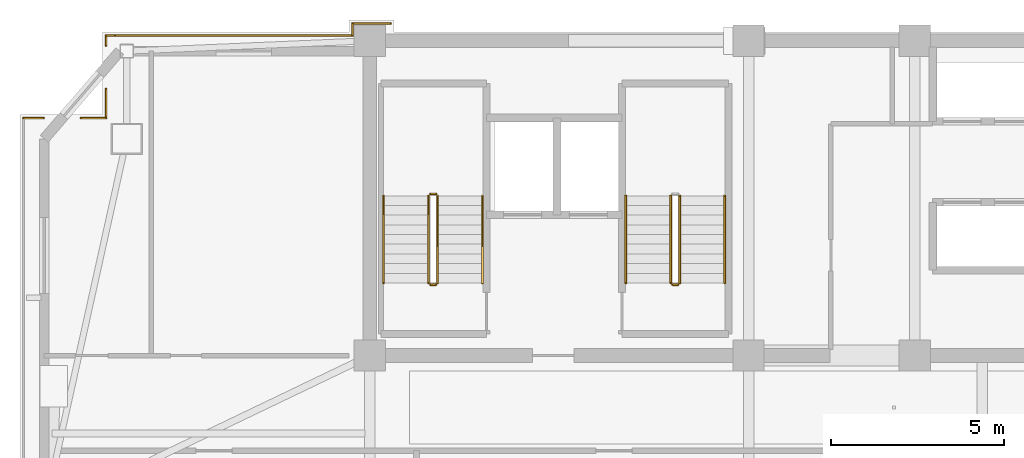
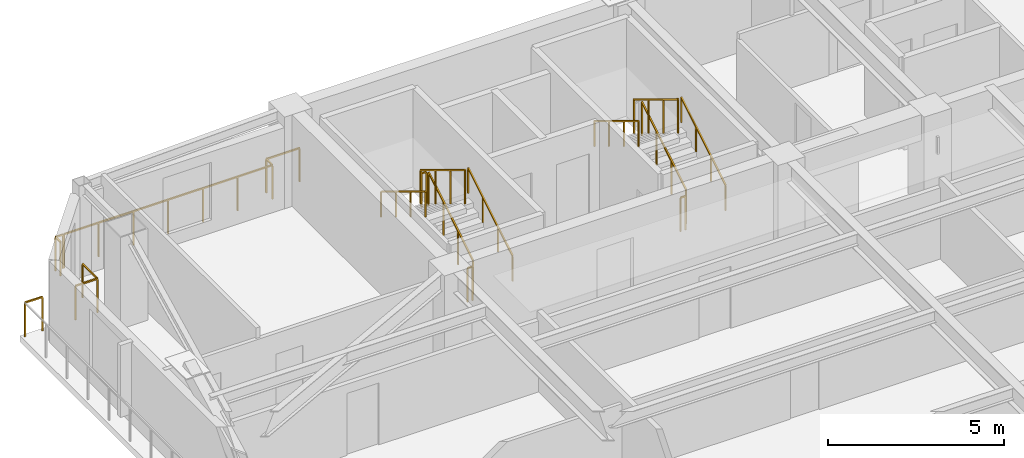
# One storey, part 11 of 13: 19 railings.
"""IFC4 building model written with IfcOpenShell, lengths in metres."""

from ifc_helpers import new_model, si_unit, direction, frame, origin, origin_2d, place, context, subcontext, project, spatial, rectangle, extrude, material, type_object, element, save


model = new_model("IFC4")

# Units and contexts
model_context = context("Model", 3, precision=1e-05, world=origin(), true_north=direction((0.0, 1.0)))
body_context = subcontext(model_context, "Body", "Model", "MODEL_VIEW")
ifc_project = project(units=[si_unit("LENGTHUNIT", "METRE"), si_unit("AREAUNIT", "SQUARE_METRE"), si_unit("VOLUMEUNIT", "CUBIC_METRE"), si_unit("PLANEANGLEUNIT", "RADIAN"), si_unit("MASSUNIT", "GRAM", prefix="KILO")], contexts=[model_context])

# Site, building, storey
site_placement = place(None, origin())
site = spatial("IfcSite", under=ifc_project, at=site_placement, CompositionType="ELEMENT")
building_placement = place(site_placement, origin())
building = spatial("IfcBuilding", under=site, at=building_placement, Name="Giltprow Tower", CompositionType="ELEMENT")
storey_placement = place(building_placement, frame((0.0, 0.0, 307.39990234375)))
storey = spatial("IfcBuildingStorey", under=building, at=storey_placement, Name="L79", CompositionType="ELEMENT", Elevation=307.39990234375)

# Railings
ifc_material = material(Name="Anodized bronze", Category="metal")
railing_type_1 = type_object("IfcRailingType", Name="RAIL-BALC-GUARD-1200", PredefinedType="BALUSTRADE", material=ifc_material)
railing_1_placement = place(storey_placement, frame((9.840087890625, 44.31494140625, 0.0)))
element("IfcRailing", 1, at=railing_1_placement, inside=storey, type_object=railing_type_1, Name="L79 Corner Apron Edge Balustrade 14", PredefinedType="BALUSTRADE", context=body_context, shape_type="SweptSolid", body=[
    extrude(rectangle(XDim=0.048095703125, YDim=0.048095703125, at=origin_2d()), frame((0.0, 0.0, 1.17578125), z_axis=(1.0, 0.0, 0.0), x_axis=(0.0, 1.0, 0.0)), (0.0, 0.0, 1.0), 0.575927734375),
    extrude(rectangle(XDim=0.0419921875, YDim=0.0419921875, at=origin_2d()), origin(), (0.0, 0.0, 1.0), 1.15185546875),
    extrude(rectangle(XDim=0.0419921875, YDim=0.0419921875, at=origin_2d()), frame((0.575927734375, 0.0, 0.0)), (0.0, 0.0, 1.0), 1.15185546875),
])
railing_2_placement = place(storey_placement, frame((11.498046875, 44.31494140625, 0.0)))
element("IfcRailing", 2, at=railing_2_placement, inside=storey, type_object=railing_type_1, Name="L79 Corner Apron Edge Balustrade 15", PredefinedType="BALUSTRADE", context=body_context, shape_type="SweptSolid", body=[
    extrude(rectangle(XDim=0.048095703125, YDim=0.048095703125, at=origin_2d()), frame((0.0, 0.0, 1.17578125), z_axis=(1.0, 0.0, 0.0), x_axis=(0.0, 1.0, 0.0)), (0.0, 0.0, 1.0), 0.72705078125),
    extrude(rectangle(XDim=0.0419921875, YDim=0.0419921875, at=origin_2d()), origin(), (0.0, 0.0, 1.0), 1.15185546875),
    extrude(rectangle(XDim=0.0419921875, YDim=0.0419921875, at=origin_2d()), frame((0.72705078125, 0.0, 0.0)), (0.0, 0.0, 1.0), 1.15185546875),
])
railing_3_placement = place(storey_placement, frame((12.22509765625, 44.31494140625, 0.0)))
element("IfcRailing", 3, at=railing_3_placement, inside=storey, type_object=railing_type_1, Name="L79 Corner Apron Edge Balustrade 16", PredefinedType="BALUSTRADE", context=body_context, shape_type="SweptSolid", body=[
    extrude(rectangle(XDim=0.048095703125, YDim=0.048095703125, at=origin_2d()), frame((0.0, 0.0, 1.17578125), z_axis=(0.0, 1.0, 0.0), x_axis=(-1.0, 0.0, 0.0)), (0.0, 0.0, 1.0), 0.843017578125),
    extrude(rectangle(XDim=0.0419921875, YDim=0.0419921875, at=origin_2d()), origin(), (0.0, 0.0, 1.0), 1.15185546875),
    extrude(rectangle(XDim=0.0419921875, YDim=0.0419921875, at=origin_2d()), frame((0.0, 0.843017578125, 0.0)), (0.0, 0.0, 1.0), 1.15185546875),
])
railing_4_placement = place(storey_placement, frame((12.22509765625, 46.4140625, 0.0)))
element("IfcRailing", 4, at=railing_4_placement, inside=storey, type_object=railing_type_1, Name="L79 Corner Apron Edge Balustrade 17", PredefinedType="BALUSTRADE", context=body_context, shape_type="SweptSolid", body=[
    extrude(rectangle(XDim=0.048095703125, YDim=0.048095703125, at=origin_2d()), frame((0.0, 0.0, 1.17578125), z_axis=(0.0, 1.0, 0.0), x_axis=(-1.0, 0.0, 0.0)), (0.0, 0.0, 1.0), 0.285888671875),
    extrude(rectangle(XDim=0.0419921875, YDim=0.0419921875, at=origin_2d()), origin(), (0.0, 0.0, 1.0), 1.15185546875),
    extrude(rectangle(XDim=0.0419921875, YDim=0.0419921875, at=origin_2d()), frame((0.0, 0.285888671875, 0.0)), (0.0, 0.0, 1.0), 1.15185546875),
])
railing_5_placement = place(storey_placement, frame((12.22509765625, 46.699951171875, 0.0)))
element("IfcRailing", 5, at=railing_5_placement, inside=storey, type_object=railing_type_1, Name="L79 Corner Apron Edge Balustrade 18", PredefinedType="BALUSTRADE", context=body_context, shape_type="SweptSolid", body=[
    extrude(rectangle(XDim=0.048095703125, YDim=0.048095703125, at=origin_2d()), frame((0.0, 0.0, 1.17578125), z_axis=(1.0, 0.0, 0.0), x_axis=(0.0, 1.0, 0.0)), (0.0, 0.0, 1.0), 0.246826171875),
    extrude(rectangle(XDim=0.0419921875, YDim=0.0419921875, at=origin_2d()), origin(), (0.0, 0.0, 1.0), 1.15185546875),
    extrude(rectangle(XDim=0.0419921875, YDim=0.0419921875, at=origin_2d()), frame((0.246826171875, 0.0, 0.0)), (0.0, 0.0, 1.0), 1.15185546875),
])
railing_6_placement = place(storey_placement, frame((12.5009765625, 46.699951171875, 0.0)))
element("IfcRailing", 6, at=railing_6_placement, inside=storey, type_object=railing_type_1, Name="L79 Corner Apron Edge Balustrade 19", PredefinedType="BALUSTRADE", context=body_context, shape_type="SweptSolid", body=[
    extrude(rectangle(XDim=0.048095703125, YDim=0.048095703125, at=origin_2d()), frame((0.0, 0.0, 1.17578125), z_axis=(1.0, 0.0, 0.0), x_axis=(0.0, 1.0, 0.0)), (0.0, 0.0, 1.0), 6.84912109375),
    extrude(rectangle(XDim=0.0419921875, YDim=0.0419921875, at=origin_2d()), origin(), (0.0, 0.0, 1.0), 1.15185546875),
    extrude(rectangle(XDim=0.0419921875, YDim=0.0419921875, at=origin_2d()), frame((1.1416015625, 0.0, 0.0)), (0.0, 0.0, 1.0), 1.15185546875),
    extrude(rectangle(XDim=0.0419921875, YDim=0.0419921875, at=origin_2d()), frame((2.282958984375, 0.0, 0.0)), (0.0, 0.0, 1.0), 1.15185546875),
    extrude(rectangle(XDim=0.0419921875, YDim=0.0419921875, at=origin_2d()), frame((3.424560546875, 0.0, 0.0)), (0.0, 0.0, 1.0), 1.15185546875),
    extrude(rectangle(XDim=0.0419921875, YDim=0.0419921875, at=origin_2d()), frame((4.566162109375, 0.0, 0.0)), (0.0, 0.0, 1.0), 1.15185546875),
    extrude(rectangle(XDim=0.0419921875, YDim=0.0419921875, at=origin_2d()), frame((5.70751953125, 0.0, 0.0)), (0.0, 0.0, 1.0), 1.15185546875),
    extrude(rectangle(XDim=0.0419921875, YDim=0.0419921875, at=origin_2d()), frame((6.84912109375, 0.0, 0.0)), (0.0, 0.0, 1.0), 1.15185546875),
])
railing_7_placement = place(storey_placement, frame((19.35009765625, 46.699951171875, 0.0)))
element("IfcRailing", 7, at=railing_7_placement, inside=storey, type_object=railing_type_1, Name="L79 Corner Apron Edge Balustrade 20", PredefinedType="BALUSTRADE", context=body_context, shape_type="SweptSolid", body=[
    extrude(rectangle(XDim=0.048095703125, YDim=0.048095703125, at=origin_2d()), frame((0.0, 0.0, 1.17578125), z_axis=(0.0, 1.0, 0.0), x_axis=(-1.0, 0.0, 0.0)), (0.0, 0.0, 1.0), 0.35009765625),
    extrude(rectangle(XDim=0.0419921875, YDim=0.0419921875, at=origin_2d()), origin(), (0.0, 0.0, 1.0), 1.15185546875),
    extrude(rectangle(XDim=0.0419921875, YDim=0.0419921875, at=origin_2d()), frame((0.0, 0.35009765625, 0.0)), (0.0, 0.0, 1.0), 1.15185546875),
])
railing_8_placement = place(storey_placement, frame((19.35009765625, 47.050048828125, 0.0)))
element("IfcRailing", 8, at=railing_8_placement, inside=storey, type_object=railing_type_1, Name="L79 Corner Apron Edge Balustrade 21", PredefinedType="BALUSTRADE", context=body_context, shape_type="SweptSolid", body=[
    extrude(rectangle(XDim=0.048095703125, YDim=0.048095703125, at=origin_2d()), frame((0.0, 0.0, 1.17578125), z_axis=(1.0, 0.0, 0.0), x_axis=(0.0, 1.0, 0.0)), (0.0, 0.0, 1.0), 1.099853515625),
    extrude(rectangle(XDim=0.0419921875, YDim=0.0419921875, at=origin_2d()), origin(), (0.0, 0.0, 1.0), 1.15185546875),
    extrude(rectangle(XDim=0.0419921875, YDim=0.0419921875, at=origin_2d()), frame((1.099853515625, 0.0, 0.0)), (0.0, 0.0, 1.0), 1.15185546875),
])
railing_type_2 = type_object("IfcRailingType", Name="RAIL-STAIR-GUARD-1200", PredefinedType="GUARDRAIL", material=ifc_material)
railing_9_placement = place(storey_placement, frame((21.81005859375, 39.550048828125, 0.170166015625)))
element("IfcRailing", 9, at=railing_9_placement, inside=storey, type_object=railing_type_2, Name="L79 ST-1 stair guard 1", PredefinedType="GUARDRAIL", context=body_context, shape_type="SweptSolid", body=[
    extrude(rectangle(XDim=0.048095703125, YDim=0.048095703125, at=origin_2d()), frame((0.0, 0.0, 1.17578125), z_axis=(0.0, 0.85478489116, 0.518982456201), x_axis=(-1.0, 0.0, 0.0)), (0.0, 0.0, 1.0), 2.9482421875),
    extrude(rectangle(XDim=0.0419921875, YDim=0.0419921875, at=origin_2d()), origin(), (0.0, 0.0, 1.0), 1.15185546875),
    extrude(rectangle(XDim=0.0419921875, YDim=0.0419921875, at=origin_2d()), frame((0.0, 0.840087890625, 0.510009765625)), (0.0, 0.0, 1.0), 1.15185546875),
    extrude(rectangle(XDim=0.0419921875, YDim=0.0419921875, at=origin_2d()), frame((0.0, 1.679931640625, 1.02001953125)), (0.0, 0.0, 1.0), 1.15185546875),
    extrude(rectangle(XDim=0.0419921875, YDim=0.0419921875, at=origin_2d()), frame((0.0, 2.52001953125, 1.530029296875)), (0.0, 0.0, 1.0), 1.15185546875),
])
railing_10_placement = place(storey_placement, frame((21.760009765625, 42.1201171875, 1.7001953125)))
element("IfcRailing", 10, at=railing_10_placement, inside=storey, type_object=railing_type_2, Name="L79 ST-1 stair guard 2", PredefinedType="GUARDRAIL", context=body_context, shape_type="SweptSolid", body=[
    extrude(rectangle(XDim=0.048095703125, YDim=0.048095703125, at=origin_2d()), frame((0.0, 0.0, 1.17578125), z_axis=(-1.0, 0.0, 0.0), x_axis=(0.0, -1.0, 0.0)), (0.0, 0.0, 1.0), 0.159912109375),
    extrude(rectangle(XDim=0.0419921875, YDim=0.0419921875, at=origin_2d()), origin(), (0.0, 0.0, 1.0), 1.15185546875),
    extrude(rectangle(XDim=0.0419921875, YDim=0.0419921875, at=origin_2d()), frame((-0.159912109375, 0.0, 0.0)), (0.0, 0.0, 1.0), 1.15185546875),
])
railing_11_placement = place(storey_placement, frame((21.550048828125, 42.070068359375, 1.8701171875)))
element("IfcRailing", 11, at=railing_11_placement, inside=storey, type_object=railing_type_2, Name="L79 ST-1 stair guard 3", PredefinedType="GUARDRAIL", context=body_context, shape_type="SweptSolid", body=[
    extrude(rectangle(XDim=0.048095703125, YDim=0.048095703125, at=origin_2d()), frame((0.0, 0.0, 1.17578125), z_axis=(0.0, -0.85478489116, 0.518982456201), x_axis=(1.0, 0.0, 0.0)), (0.0, 0.0, 1.0), 2.9482421875),
    extrude(rectangle(XDim=0.0419921875, YDim=0.0419921875, at=origin_2d()), origin(), (0.0, 0.0, 1.0), 1.15185546875),
    extrude(rectangle(XDim=0.0419921875, YDim=0.0419921875, at=origin_2d()), frame((0.0, -0.840087890625, 0.510009765625)), (0.0, 0.0, 1.0), 1.15185546875),
    extrude(rectangle(XDim=0.0419921875, YDim=0.0419921875, at=origin_2d()), frame((0.0, -1.679931640625, 1.02001953125)), (0.0, 0.0, 1.0), 1.15185546875),
    extrude(rectangle(XDim=0.0419921875, YDim=0.0419921875, at=origin_2d()), frame((0.0, -2.52001953125, 1.530029296875)), (0.0, 0.0, 1.0), 1.15185546875),
])
railing_12_placement = place(storey_placement, frame((21.760009765625, 39.5, 0.0)))
element("IfcRailing", 12, at=railing_12_placement, inside=storey, type_object=railing_type_2, Name="L79 ST-1 stair guard 4", PredefinedType="GUARDRAIL", context=body_context, shape_type="SweptSolid", body=[
    extrude(rectangle(XDim=0.048095703125, YDim=0.048095703125, at=origin_2d()), frame((0.0, 0.0, 1.17578125), z_axis=(-1.0, 0.0, 0.0), x_axis=(0.0, -1.0, 0.0)), (0.0, 0.0, 1.0), 0.159912109375),
    extrude(rectangle(XDim=0.0419921875, YDim=0.0419921875, at=origin_2d()), origin(), (0.0, 0.0, 1.0), 1.15185546875),
    extrude(rectangle(XDim=0.0419921875, YDim=0.0419921875, at=origin_2d()), frame((-0.159912109375, 0.0, 0.0)), (0.0, 0.0, 1.0), 1.15185546875),
])
railing_13_placement = place(storey_placement, frame((28.81005859375, 39.550048828125, 0.170166015625)))
element("IfcRailing", 13, at=railing_13_placement, inside=storey, type_object=railing_type_2, Name="L79 ST-2 stair guard 1", PredefinedType="GUARDRAIL", context=body_context, shape_type="SweptSolid", body=[
    extrude(rectangle(XDim=0.048095703125, YDim=0.048095703125, at=origin_2d()), frame((0.0, 0.0, 1.17578125), z_axis=(0.0, 0.85478489116, 0.518982456201), x_axis=(-1.0, 0.0, 0.0)), (0.0, 0.0, 1.0), 2.9482421875),
    extrude(rectangle(XDim=0.0419921875, YDim=0.0419921875, at=origin_2d()), origin(), (0.0, 0.0, 1.0), 1.15185546875),
    extrude(rectangle(XDim=0.0419921875, YDim=0.0419921875, at=origin_2d()), frame((0.0, 0.840087890625, 0.510009765625)), (0.0, 0.0, 1.0), 1.15185546875),
    extrude(rectangle(XDim=0.0419921875, YDim=0.0419921875, at=origin_2d()), frame((0.0, 1.679931640625, 1.02001953125)), (0.0, 0.0, 1.0), 1.15185546875),
    extrude(rectangle(XDim=0.0419921875, YDim=0.0419921875, at=origin_2d()), frame((0.0, 2.52001953125, 1.530029296875)), (0.0, 0.0, 1.0), 1.15185546875),
])
railing_14_placement = place(storey_placement, frame((28.550048828125, 42.070068359375, 1.8701171875)))
element("IfcRailing", 14, at=railing_14_placement, inside=storey, type_object=railing_type_2, Name="L79 ST-2 stair guard 3", PredefinedType="GUARDRAIL", context=body_context, shape_type="SweptSolid", body=[
    extrude(rectangle(XDim=0.048095703125, YDim=0.048095703125, at=origin_2d()), frame((0.0, 0.0, 1.17578125), z_axis=(0.0, -0.85478489116, 0.518982456201), x_axis=(1.0, 0.0, 0.0)), (0.0, 0.0, 1.0), 2.9482421875),
    extrude(rectangle(XDim=0.0419921875, YDim=0.0419921875, at=origin_2d()), origin(), (0.0, 0.0, 1.0), 1.15185546875),
    extrude(rectangle(XDim=0.0419921875, YDim=0.0419921875, at=origin_2d()), frame((0.0, -0.840087890625, 0.510009765625)), (0.0, 0.0, 1.0), 1.15185546875),
    extrude(rectangle(XDim=0.0419921875, YDim=0.0419921875, at=origin_2d()), frame((0.0, -1.679931640625, 1.02001953125)), (0.0, 0.0, 1.0), 1.15185546875),
    extrude(rectangle(XDim=0.0419921875, YDim=0.0419921875, at=origin_2d()), frame((0.0, -2.52001953125, 1.530029296875)), (0.0, 0.0, 1.0), 1.15185546875),
])
railing_15_placement = place(storey_placement, frame((28.760009765625, 39.5, 0.0)))
element("IfcRailing", 15, at=railing_15_placement, inside=storey, type_object=railing_type_2, Name="L79 ST-2 stair guard 4", PredefinedType="GUARDRAIL", context=body_context, shape_type="SweptSolid", body=[
    extrude(rectangle(XDim=0.048095703125, YDim=0.048095703125, at=origin_2d()), frame((0.0, 0.0, 1.17578125), z_axis=(-1.0, 0.0, 0.0), x_axis=(0.0, -1.0, 0.0)), (0.0, 0.0, 1.0), 0.159912109375),
    extrude(rectangle(XDim=0.0419921875, YDim=0.0419921875, at=origin_2d()), origin(), (0.0, 0.0, 1.0), 1.15185546875),
    extrude(rectangle(XDim=0.0419921875, YDim=0.0419921875, at=origin_2d()), frame((-0.159912109375, 0.0, 0.0)), (0.0, 0.0, 1.0), 1.15185546875),
])
railing_type_3 = type_object("IfcRailingType", Name="RAIL-STAIR-HAND-900", PredefinedType="HANDRAIL", material=ifc_material)
railing_16_placement = place(storey_placement, frame((23.110107421875, 39.550048828125, 0.170166015625)))
element("IfcRailing", 16, at=railing_16_placement, inside=storey, type_object=railing_type_3, Name="L79 ST-1 stair handrail 1", PredefinedType="HANDRAIL", context=body_context, shape_type="SweptSolid", body=[
    extrude(rectangle(XDim=0.048095703125, YDim=0.048095703125, at=origin_2d()), frame((0.0, 0.0, 0.8759765625), z_axis=(0.0, 0.85478489116, 0.518982456201), x_axis=(-1.0, 0.0, 0.0)), (0.0, 0.0, 1.0), 2.9482421875),
    extrude(rectangle(XDim=0.0419921875, YDim=0.0419921875, at=origin_2d()), origin(), (0.0, 0.0, 1.0), 0.851806640625),
    extrude(rectangle(XDim=0.0419921875, YDim=0.0419921875, at=origin_2d()), frame((0.0, 0.840087890625, 0.510009765625)), (0.0, 0.0, 1.0), 0.851806640625),
    extrude(rectangle(XDim=0.0419921875, YDim=0.0419921875, at=origin_2d()), frame((0.0, 1.679931640625, 1.02001953125)), (0.0, 0.0, 1.0), 0.851806640625),
    extrude(rectangle(XDim=0.0419921875, YDim=0.0419921875, at=origin_2d()), frame((0.0, 2.52001953125, 1.530029296875)), (0.0, 0.0, 1.0), 0.851806640625),
])
railing_17_placement = place(storey_placement, frame((20.25, 42.070068359375, 1.8701171875)))
element("IfcRailing", 17, at=railing_17_placement, inside=storey, type_object=railing_type_3, Name="L79 ST-1 stair handrail 2", PredefinedType="HANDRAIL", context=body_context, shape_type="SweptSolid", body=[
    extrude(rectangle(XDim=0.048095703125, YDim=0.048095703125, at=origin_2d()), frame((0.0, 0.0, 0.8759765625), z_axis=(0.0, -0.85478489116, 0.518982456201), x_axis=(1.0, 0.0, 0.0)), (0.0, 0.0, 1.0), 2.9482421875),
    extrude(rectangle(XDim=0.0419921875, YDim=0.0419921875, at=origin_2d()), origin(), (0.0, 0.0, 1.0), 0.851806640625),
    extrude(rectangle(XDim=0.0419921875, YDim=0.0419921875, at=origin_2d()), frame((0.0, -0.840087890625, 0.510009765625)), (0.0, 0.0, 1.0), 0.851806640625),
    extrude(rectangle(XDim=0.0419921875, YDim=0.0419921875, at=origin_2d()), frame((0.0, -1.679931640625, 1.02001953125)), (0.0, 0.0, 1.0), 0.851806640625),
    extrude(rectangle(XDim=0.0419921875, YDim=0.0419921875, at=origin_2d()), frame((0.0, -2.52001953125, 1.530029296875)), (0.0, 0.0, 1.0), 0.851806640625),
])
railing_18_placement = place(storey_placement, frame((30.110107421875, 39.550048828125, 0.170166015625)))
element("IfcRailing", 18, at=railing_18_placement, inside=storey, type_object=railing_type_3, Name="L79 ST-2 stair handrail 1", PredefinedType="HANDRAIL", context=body_context, shape_type="SweptSolid", body=[
    extrude(rectangle(XDim=0.048095703125, YDim=0.048095703125, at=origin_2d()), frame((0.0, 0.0, 0.8759765625), z_axis=(0.0, 0.85478489116, 0.518982456201), x_axis=(-1.0, 0.0, 0.0)), (0.0, 0.0, 1.0), 2.9482421875),
    extrude(rectangle(XDim=0.0419921875, YDim=0.0419921875, at=origin_2d()), origin(), (0.0, 0.0, 1.0), 0.851806640625),
    extrude(rectangle(XDim=0.0419921875, YDim=0.0419921875, at=origin_2d()), frame((0.0, 0.840087890625, 0.510009765625)), (0.0, 0.0, 1.0), 0.851806640625),
    extrude(rectangle(XDim=0.0419921875, YDim=0.0419921875, at=origin_2d()), frame((0.0, 1.679931640625, 1.02001953125)), (0.0, 0.0, 1.0), 0.851806640625),
    extrude(rectangle(XDim=0.0419921875, YDim=0.0419921875, at=origin_2d()), frame((0.0, 2.52001953125, 1.530029296875)), (0.0, 0.0, 1.0), 0.851806640625),
])
railing_19_placement = place(storey_placement, frame((27.25, 42.070068359375, 1.8701171875)))
element("IfcRailing", 19, at=railing_19_placement, inside=storey, type_object=railing_type_3, Name="L79 ST-2 stair handrail 2", PredefinedType="HANDRAIL", context=body_context, shape_type="SweptSolid", body=[
    extrude(rectangle(XDim=0.048095703125, YDim=0.048095703125, at=origin_2d()), frame((0.0, 0.0, 0.8759765625), z_axis=(0.0, -0.85478489116, 0.518982456201), x_axis=(1.0, 0.0, 0.0)), (0.0, 0.0, 1.0), 2.9482421875),
    extrude(rectangle(XDim=0.0419921875, YDim=0.0419921875, at=origin_2d()), origin(), (0.0, 0.0, 1.0), 0.851806640625),
    extrude(rectangle(XDim=0.0419921875, YDim=0.0419921875, at=origin_2d()), frame((0.0, -0.840087890625, 0.510009765625)), (0.0, 0.0, 1.0), 0.851806640625),
    extrude(rectangle(XDim=0.0419921875, YDim=0.0419921875, at=origin_2d()), frame((0.0, -1.679931640625, 1.02001953125)), (0.0, 0.0, 1.0), 0.851806640625),
    extrude(rectangle(XDim=0.0419921875, YDim=0.0419921875, at=origin_2d()), frame((0.0, -2.52001953125, 1.530029296875)), (0.0, 0.0, 1.0), 0.851806640625),
])

save(model, "model.ifc")
